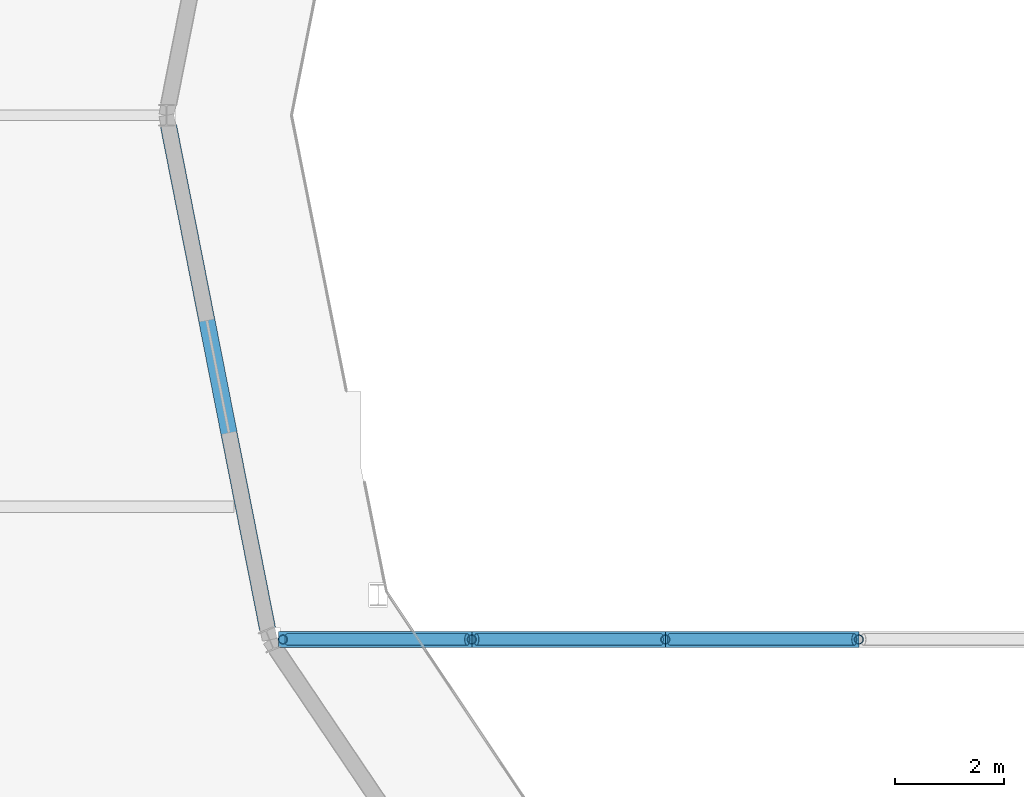
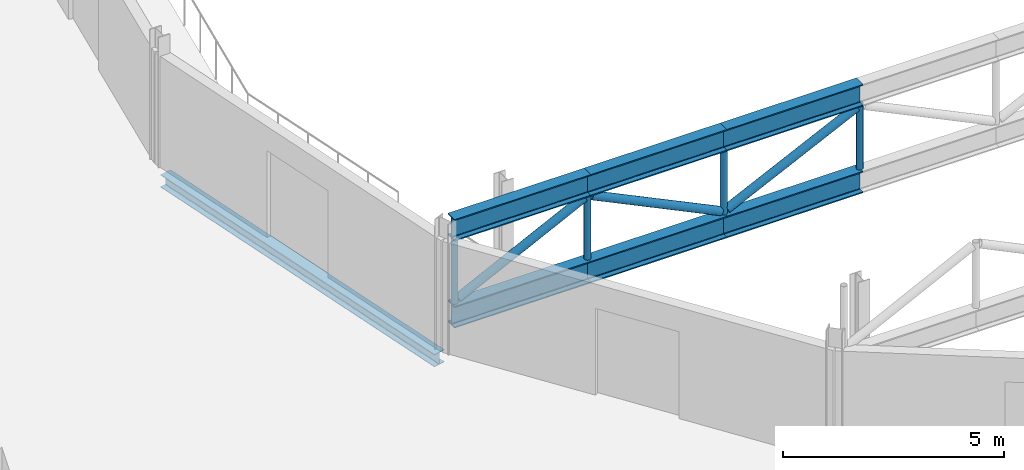
# One storey, part 36 of 143: 13 members, 1 beam.
"""IFC4 building model written with IfcOpenShell, lengths in metres."""

from ifc_helpers import new_model, si_unit, direction, frame, origin, origin_2d, place, context, subcontext, project, spatial, hollow_circle, i_section, extrude, material, material_profile, profile_set, type_object, element, save


model = new_model("IFC4")

# Units and contexts
model_context = context("Model", 3, precision=1e-05, world=origin(), true_north=direction((0.0, 1.0)))
body_context = subcontext(model_context, "Body", "Model", "MODEL_VIEW")
ifc_project = project(units=[si_unit("LENGTHUNIT", "METRE"), si_unit("AREAUNIT", "SQUARE_METRE"), si_unit("VOLUMEUNIT", "CUBIC_METRE"), si_unit("PLANEANGLEUNIT", "RADIAN"), si_unit("MASSUNIT", "GRAM", prefix="KILO")], contexts=[model_context])

# Site, building, storey
site_placement = place(None, origin())
site = spatial("IfcSite", under=ifc_project, at=site_placement, CompositionType="ELEMENT")
building_placement = place(site_placement, origin())
building = spatial("IfcBuilding", under=site, at=building_placement, Name="Kupolbacken Congress Centre", CompositionType="ELEMENT")
storey_placement = place(building_placement, frame((0.0, 0.0, 7.199951171875)))
storey = spatial("IfcBuildingStorey", under=building, at=storey_placement, Name="L02", CompositionType="ELEMENT", Elevation=7.199951171875)

# Beam
ifc_material_1 = material(Name="Steel S355", Category="steel")
ifc_material_profile_1 = material_profile(ifc_material_1, i_section(OverallWidth=0.300048828125, OverallDepth=0.35009765625, WebThickness=0.010009765625, FlangeThickness=0.017578125, FilletRadius=0.027099609375, at=origin_2d()), Name="HEA 360")
ifc_profile_set_1 = profile_set([ifc_material_profile_1], Name="Steel S355")
beam_type = type_object("IfcBeamType", Name="B13 beam HEA 360", PredefinedType="BEAM", material=ifc_profile_set_1)
beam_placement = place(storey_placement, frame((18.039306640625, 86.199951171875, -0.35498046875), z_axis=(0.193191886678, -0.981160993376, 0.0), x_axis=(0.981160993376, 0.193191886678, 0.0)))
element("IfcBeam", 1, at=beam_placement, inside=storey, type_object=beam_type, Name="S/floor/P/L02/C009", PredefinedType="BEAM", context=body_context, shape_type="SweptSolid", body=[
    extrude(i_section(OverallWidth=0.300048828125, OverallDepth=0.35009765625, WebThickness=0.010009765625, FlangeThickness=0.017578125, FilletRadius=0.027099609375, at=origin_2d()), origin(), (0.0, 0.0, 1.0), 9.42724609375),
])

# Members
ifc_material_2 = material(Name="Steel S355", Category="steel")
ifc_material_profile_2 = material_profile(ifc_material_2, i_section(OverallWidth=0.300048828125, OverallDepth=0.60009765625, WebThickness=0.015380859375, FlangeThickness=0.030029296875, FilletRadius=0.027099609375, at=origin_2d()), Name="HEB 600")
ifc_profile_set_2 = profile_set([ifc_material_profile_2], Name="Steel S355")
member_type_1 = type_object("IfcMemberType", Name="M02 transfer truss chord HEB 600", PredefinedType="CHORD", material=ifc_profile_set_2)
for number, where, z_axis, x_axis, name in (
    (2, (20.058349609375, 76.75634765625, 0.916259765625), (1.0, 0.0, 0.0), (0.0, 1.0, 0.0), "PD/L02/balc/trussF/BC01"),
    (3, (20.058349609375, 76.75634765625, 3.31640625), (1.0, 0.0, 0.0), (0.0, 1.0, 0.0), "PD/L02/balc/trussF/TC01"),
):
    element("IfcMember", number, at=place(storey_placement, frame(where, z_axis=z_axis, x_axis=x_axis)), inside=storey, type_object=member_type_1, Name=name, PredefinedType="CHORD", context=body_context, shape_type="SweptSolid", body=[
        extrude(i_section(OverallWidth=0.300048828125, OverallDepth=0.60009765625, WebThickness=0.015380859375, FlangeThickness=0.030029296875, FilletRadius=0.027099609375, at=origin_2d()), origin(), (0.0, 0.0, 1.0), 3.56005859375),
    ])
for number, where, z_axis, x_axis, name in (
    (4, (23.618408203125, 76.75634765625, 0.916259765625), (1.0, 0.0, 0.0), (0.0, 1.0, 0.0), "PD/L02/balc/trussF/BC02"),
    (5, (23.618408203125, 76.75634765625, 3.31640625), (1.0, 0.0, 0.0), (0.0, 1.0, 0.0), "PD/L02/balc/trussF/TC02"),
    (6, (27.1787109375, 76.75634765625, 0.916259765625), (1.0, 0.0, 0.0), (0.0, 1.0, 0.0), "PD/L02/balc/trussF/BC03"),
    (7, (27.1787109375, 76.75634765625, 3.31640625), (1.0, 0.0, 0.0), (0.0, 1.0, 0.0), "PD/L02/balc/trussF/TC03"),
):
    element("IfcMember", number, at=place(storey_placement, frame(where, z_axis=z_axis, x_axis=x_axis)), inside=storey, type_object=member_type_1, Name=name, PredefinedType="CHORD", context=body_context, shape_type="SweptSolid", body=[
        extrude(i_section(OverallWidth=0.300048828125, OverallDepth=0.60009765625, WebThickness=0.015380859375, FlangeThickness=0.030029296875, FilletRadius=0.027099609375, at=origin_2d()), origin(), (0.0, 0.0, 1.0), 3.560302734375),
    ])
ifc_material_3 = material(Name="Steel S355", Category="steel")
ifc_material_profile_3 = material_profile(ifc_material_3, hollow_circle(Radius=0.109619140625, WallThickness=0.010009765625, at=origin_2d()), Name="CHS 219.1 x 10")
ifc_profile_set_3 = profile_set([ifc_material_profile_3], Name="Steel S355")
member_type_2 = type_object("IfcMemberType", Name="M05 transfer truss web CHS 219.1 x 10", PredefinedType="BRACE", material=ifc_profile_set_3)
member_1_placement = place(storey_placement, frame((20.2265625, 76.75634765625, 1.302490234375), z_axis=(0.897256651909, 0.0, 0.441509343736), x_axis=(0.0, 1.0, 0.0)))
element("IfcMember", 8, at=member_1_placement, inside=storey, type_object=member_type_2, Name="PD/L02/balc/trussF/D01", PredefinedType="BRACE", context=body_context, shape_type="SweptSolid", body=[
    extrude(hollow_circle(Radius=0.109619140625, WallThickness=0.010009765625, at=origin_2d()), origin(), (0.0, 0.0, 1.0), 3.6865234375),
])
member_2_placement = place(storey_placement, frame((23.70263671875, 76.75634765625, 2.9296875), z_axis=(0.901703244176, 0.0, -0.432355478099), x_axis=(0.0, 1.0, 0.0)))
element("IfcMember", 9, at=member_2_placement, inside=storey, type_object=member_type_2, Name="PD/L02/balc/trussF/D02", PredefinedType="BRACE", context=body_context, shape_type="SweptSolid", body=[
    extrude(hollow_circle(Radius=0.109619140625, WallThickness=0.010009765625, at=origin_2d()), origin(), (0.0, 0.0, 1.0), 3.761962890625),
])
member_3_placement = place(storey_placement, frame((27.262939453125, 76.75634765625, 1.30322265625), z_axis=(0.901691111506, 0.0, 0.432380780598), x_axis=(0.0, 1.0, 0.0)))
element("IfcMember", 10, at=member_3_placement, inside=storey, type_object=member_type_2, Name="PD/L02/balc/trussF/D03", PredefinedType="BRACE", context=body_context, shape_type="SweptSolid", body=[
    extrude(hollow_circle(Radius=0.109619140625, WallThickness=0.010009765625, at=origin_2d()), origin(), (0.0, 0.0, 1.0), 3.76171875),
])
ifc_material_4 = material(Name="Steel S355", Category="steel")
ifc_material_profile_4 = material_profile(ifc_material_4, hollow_circle(Radius=0.084228515625, WallThickness=0.008056640625, at=origin_2d()), Name="CHS 168.3 x 8")
ifc_profile_set_4 = profile_set([ifc_material_profile_4], Name="Steel S355")
member_type_3 = type_object("IfcMemberType", Name="M20 transfer truss post CHS 168.3 x 8", PredefinedType="STRUT", material=ifc_profile_set_4)
for number, where, z_axis, x_axis, name in (
    (11, (20.142333984375, 76.75634765625, 1.206298828125), (0.0, 0.0, 1.0), (1.0, 0.0, 0.0), "PD/L02/balc/trussF/P00"),
    (12, (23.618408203125, 76.75634765625, 1.206298828125), (0.0, 0.0, 1.0), (1.0, 0.0, 0.0), "PD/L02/balc/trussF/P01"),
    (13, (27.1787109375, 76.75634765625, 1.206298828125), (0.0, 0.0, 1.0), (1.0, 0.0, 0.0), "PD/L02/balc/trussF/P02"),
    (14, (30.739013671875, 76.75634765625, 1.206298828125), (0.0, 0.0, 1.0), (1.0, 0.0, 0.0), "PD/L02/balc/trussF/P03"),
):
    element("IfcMember", number, at=place(storey_placement, frame(where, z_axis=z_axis, x_axis=x_axis)), inside=storey, type_object=member_type_3, Name=name, PredefinedType="STRUT", context=body_context, shape_type="SweptSolid", body=[
        extrude(hollow_circle(Radius=0.084228515625, WallThickness=0.008056640625, at=origin_2d()), origin(), (0.0, 0.0, 1.0), 1.820068359375),
    ])

save(model, "model.ifc")
